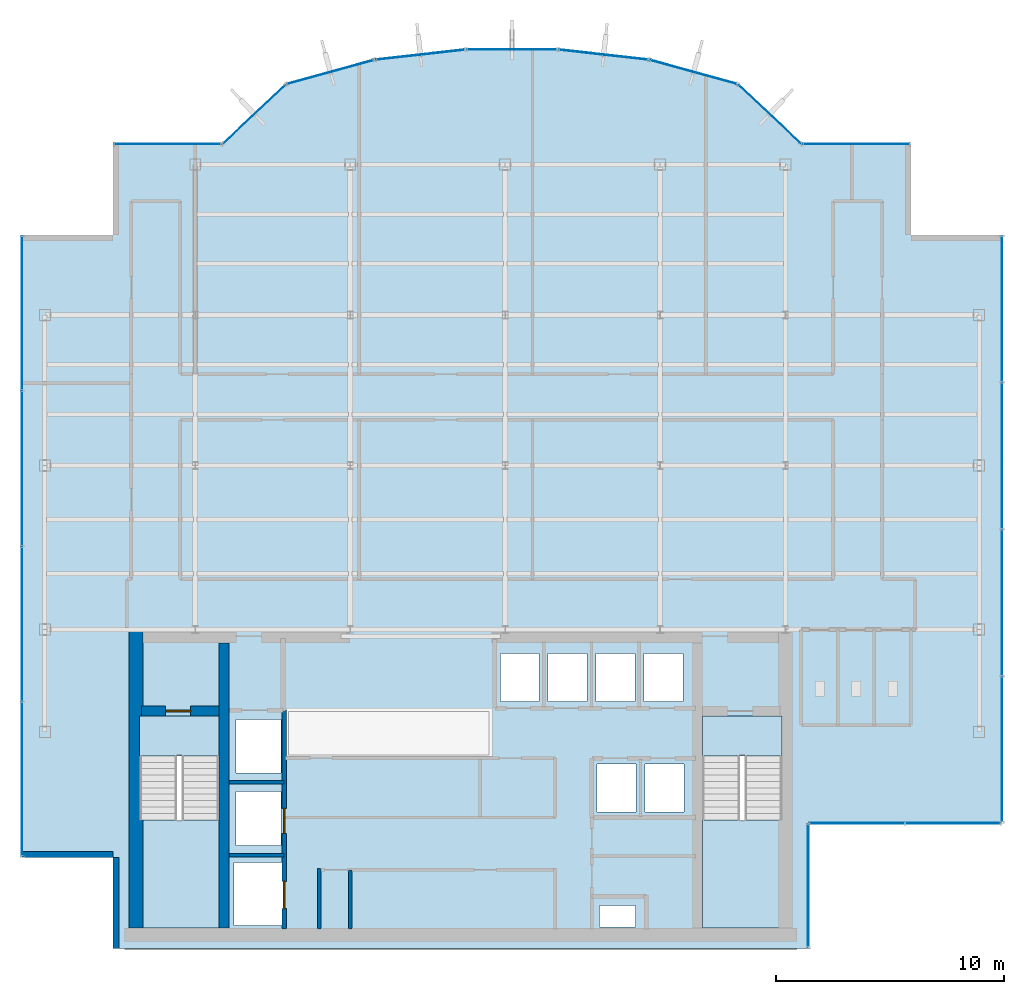
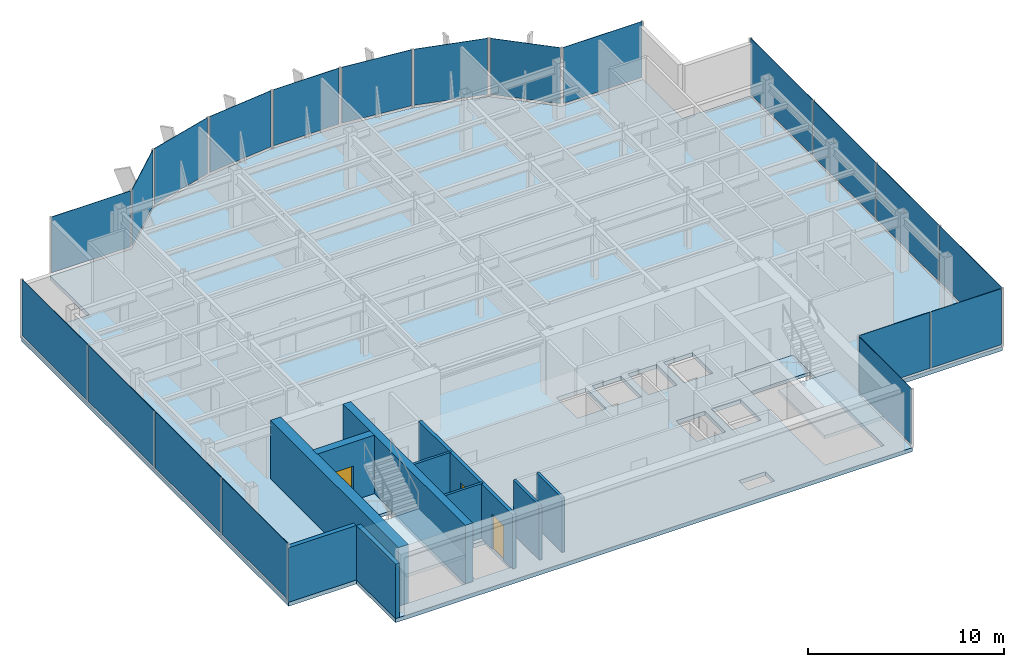
# One storey, part 16 of 22: 20 plates, 10 walls, 5 slabs, 3 doors, 3 openings, 15 elements without a shape of their own.
"""IFC4 building model written with IfcOpenShell, lengths in metres."""

from ifc_helpers import new_model, si_unit, derived_unit, direction, frame, frame_2d, origin, origin_2d, place, context, subcontext, project, spatial, polyline, rectangle, outline, extrude, source, transform, mapped, material, layer, layer_set, type_object, element, fill, aggregate, save


model = new_model("IFC4")

# Units and contexts
model_context = context("Model", 3, precision=1e-05, world=origin(), true_north=direction((0.0, 1.0)))
body_context = subcontext(model_context, "Body", "Model", "MODEL_VIEW")
ifc_project = project(units=[si_unit("LENGTHUNIT", "METRE"), si_unit("AREAUNIT", "SQUARE_METRE"), si_unit("VOLUMEUNIT", "CUBIC_METRE"), si_unit("PLANEANGLEUNIT", "RADIAN"), si_unit("MASSUNIT", "GRAM", prefix="KILO"), derived_unit("THERMALTRANSMITTANCEUNIT", [(si_unit("POWERUNIT", "WATT"), 1), (si_unit("LENGTHUNIT", "METRE"), -2), (si_unit("THERMODYNAMICTEMPERATUREUNIT", "KELVIN"), -1)])], contexts=[model_context])

# Site, building, storey
site_placement = place(None, origin())
site = spatial("IfcSite", under=ifc_project, at=site_placement, CompositionType="ELEMENT")
building_placement = place(site_placement, origin())
building = spatial("IfcBuilding", under=site, at=building_placement, Name="Skarnbrae Concourse Arena and Tower", CompositionType="ELEMENT")
storey_placement = place(building_placement, frame((0.0, 0.0, 273.39990234375)))
storey = spatial("IfcBuildingStorey", under=building, at=storey_placement, Name="L71", CompositionType="ELEMENT", Elevation=273.39990234375)

# Stair, slab
ifc_material_1 = material(Name="Concrete 40 MPa (C40/50)", Category="concrete")
stair_type = type_object("IfcStairType", Name="STAIR-DOGLEG-1650", PredefinedType="HALF_TURN_STAIR", material=ifc_material_1)
stair_1_placement = place(storey_placement, origin())
stair_1 = element("IfcStair", 1, at=stair_1_placement, inside=storey, type_object=stair_type, Name="L71 Protected Exit Stair ST-1", PredefinedType="HALF_TURN_STAIR")
ifc_layer_1 = layer(ifc_material_1, 0.199951171875)
ifc_layer_set_1 = layer_set([ifc_layer_1], Name="Concrete 40 MPa (C40/50)")
slab_type_1 = type_object("IfcSlabType", Name="SLAB-LANDING-200", PredefinedType="LANDING", material=ifc_layer_set_1)
slab_1_placement = place(storey_placement, frame((0.0, 0.0, 1.625)))
slab_1 = element("IfcSlab", 2, at=slab_1_placement, type_object=slab_type_1, Name="ST-1 landing 1", PredefinedType="LANDING", context=body_context, shape_type="SweptSolid", body=[
    extrude(outline(polyline([(5.14990234375, 5.64990234375), (5.14990234375, 0.89990234375), (8.64990234375, 0.89990234375), (8.64990234375, 5.64990234375), (5.14990234375, 5.64990234375)])), origin(), (0.0, 0.0, 1.0), 0.2001953125),
])
aggregate(stair_1, [slab_1])

stair_2_placement = place(storey_placement, origin())
stair_2 = element("IfcStair", 3, at=stair_2_placement, inside=storey, type_object=stair_type, Name="L71 Protected Exit Stair ST-2", PredefinedType="HALF_TURN_STAIR")
slab_2_placement = place(storey_placement, frame((0.0, 0.0, 1.625)))
slab_2 = element("IfcSlab", 4, at=slab_2_placement, type_object=slab_type_1, Name="ST-2 landing 1", PredefinedType="LANDING", context=body_context, shape_type="SweptSolid", body=[
    extrude(outline(polyline([(29.85009765625, 5.64990234375), (29.85009765625, 0.89990234375), (33.35009765625, 0.89990234375), (33.35009765625, 5.64990234375), (29.85009765625, 5.64990234375)])), origin(), (0.0, 0.0, 1.0), 0.2001953125),
])
aggregate(stair_2, [slab_2])

# Slabs
slab_3_placement = place(storey_placement, frame((0.0, 0.0, -0.199951171875)))
element("IfcSlab", 5, at=slab_3_placement, inside=storey, type_object=slab_type_1, Name="L71 Core stair ST1 floor landing", PredefinedType="LANDING", context=body_context, shape_type="SweptSolid", body=[
    extrude(outline(polyline([(5.14990234375, 10.199951171875), (5.14990234375, 8.449951171875), (8.64990234375, 8.449951171875), (8.64990234375, 10.199951171875), (5.14990234375, 10.199951171875)])), origin(), (0.0, 0.0, 1.0), 0.199951171875),
])
slab_4_placement = place(storey_placement, frame((0.0, 0.0, -0.199951171875)))
element("IfcSlab", 6, at=slab_4_placement, inside=storey, type_object=slab_type_1, Name="L71 Core stair ST2 floor landing", PredefinedType="LANDING", context=body_context, shape_type="SweptSolid", body=[
    extrude(outline(polyline([(29.85009765625, 10.199951171875), (29.85009765625, 8.449951171875), (33.35009765625, 8.449951171875), (33.35009765625, 10.199951171875), (29.85009765625, 10.199951171875)])), origin(), (0.0, 0.0, 1.0), 0.199951171875),
])
ifc_layer_2 = layer(ifc_material_1, 0.25)
ifc_layer_set_2 = layer_set([ifc_layer_2], Name="Concrete 40 MPa (C40/50)")
slab_type_2 = type_object("IfcSlabType", Name="SLAB-TOWER-250", PredefinedType="FLOOR", material=ifc_layer_set_2)
slab_5_placement = place(storey_placement, frame((0.0, 0.0, -0.25)))
element("IfcSlab", 7, at=slab_5_placement, inside=storey, type_object=slab_type_2, Name="L71 Structural floor slab", PredefinedType="FLOOR", context=body_context, shape_type="SweptSolid", body=[
    extrude(outline(polyline([(4.0, 0.0), (34.5, 0.0), (34.5, 5.5), (43.0, 5.5), (43.0, 31.300048828125), (39.0, 31.300048828125), (39.0, 35.300048828125), (34.199951171875, 35.300048828125), (31.40966796875, 37.9267578125), (27.52587890625, 38.9970703125), (23.51708984375, 39.44677734375), (19.48291015625, 39.44677734375), (15.47412109375, 38.9970703125), (11.59033203125, 37.9267578125), (8.800048828125, 35.300048828125), (4.0, 35.300048828125), (4.0, 31.300048828125), (0.0, 31.300048828125), (0.0, 4.0), (4.0, 4.0), (4.0, 0.0)]), holes=[polyline([(9.294921875, 1.02001953125), (9.294921875, 3.780029296875), (11.455078125, 3.780029296875), (11.455078125, 1.02001953125), (9.294921875, 1.02001953125)]), polyline([(8.64990234375, 10.199951171875), (8.64990234375, 0.89990234375), (5.14990234375, 0.89990234375), (5.14990234375, 10.199951171875), (8.64990234375, 10.199951171875)]), polyline([(9.39501953125, 6.8798828125), (11.35498046875, 6.8798828125), (11.35498046875, 4.52001953125), (9.39501953125, 4.52001953125), (9.39501953125, 6.8798828125)]), polyline([(9.39501953125, 7.695068359375), (9.39501953125, 10.054931640625), (11.35498046875, 10.054931640625), (11.35498046875, 7.695068359375), (9.39501953125, 7.695068359375)]), polyline([(20.985107421875, 12.955078125), (22.695068359375, 12.955078125), (22.695068359375, 10.844970703125), (20.985107421875, 10.844970703125), (20.985107421875, 12.955078125)]), polyline([(23.0849609375, 12.955078125), (24.794921875, 12.955078125), (24.794921875, 10.844970703125), (23.0849609375, 10.844970703125), (23.0849609375, 12.955078125)]), polyline([(25.35009765625, 0.949951171875), (25.35009765625, 1.889892578125), (26.919921875, 1.889892578125), (26.919921875, 0.949951171875), (25.35009765625, 0.949951171875)]), polyline([(33.35009765625, 10.199951171875), (33.35009765625, 0.89990234375), (29.85009765625, 0.89990234375), (29.85009765625, 10.199951171875), (33.35009765625, 10.199951171875)]), polyline([(25.235107421875, 8.10498046875), (26.945068359375, 8.10498046875), (26.945068359375, 5.9951171875), (25.235107421875, 5.9951171875), (25.235107421875, 8.10498046875)]), polyline([(27.3349609375, 5.9951171875), (27.3349609375, 8.10498046875), (29.044921875, 8.10498046875), (29.044921875, 5.9951171875), (27.3349609375, 5.9951171875)]), polyline([(25.18505859375, 12.955078125), (26.89501953125, 12.955078125), (26.89501953125, 10.844970703125), (25.18505859375, 10.844970703125), (25.18505859375, 12.955078125)]), polyline([(27.284912109375, 12.955078125), (28.9951171875, 12.955078125), (28.9951171875, 10.844970703125), (27.284912109375, 10.844970703125), (27.284912109375, 12.955078125)])]), origin(), (0.0, 0.0, 1.0), 0.25),
])

# Curtain wall, plate
ifc_material_2 = material(Name="Bronze anodised aluminium 6063-T6", Category="aluminium")
curtain_wall_type = type_object("IfcCurtainWallType", Name="CW-SYS-05-HIGHZONE", PredefinedType="USERDEFINED", material=ifc_material_2)
curtain_wall_1_placement = place(storey_placement, origin())
curtain_wall_1 = element("IfcCurtainWall", 8, at=curtain_wall_1_placement, inside=storey, type_object=curtain_wall_type, Name="L71 Unitised curtain wall CW-L71-E02", ObjectType="UNITISED CURTAIN WALL", PredefinedType="USERDEFINED")
ifc_material_3 = material(Name="Low-E triple insulating glass", Category="glass")
ifc_layer_3 = layer(ifc_material_3, 0.030029296875)
ifc_layer_set_3 = layer_set([ifc_layer_3], Name="Low-E triple insulating glass")
plate_type = type_object("IfcPlateType", Name="CWP-CW-05", PredefinedType="CURTAIN_PANEL", material=ifc_layer_set_3)
shared_shape_1 = source(origin(), body_context, "Body", "SweptSolid", [
    extrude(rectangle(XDim=5.35009765625, YDim=0.030029296875, at=origin_2d()), origin(), (0.0, 0.0, 1.0), 3.5),
])
plate_1_placement = place(storey_placement, frame((34.5, 2.75, 0.150146484375), z_axis=(0.0, 0.0, 1.0), x_axis=(0.0, 1.0, 0.0)))
plate_1 = element("IfcPlate", 9, at=plate_1_placement, type_object=plate_type, Name="CW-L71-E02 Low-E Glazing Panel 1", PredefinedType="CURTAIN_PANEL", context=body_context, shape_type="MappedRepresentation", body=[
    mapped(shared_shape_1, transform((0.0, 0.0, 0.0))),
])
aggregate(curtain_wall_1, [plate_1])

# Curtain wall, plates
curtain_wall_2_placement = place(storey_placement, origin())
curtain_wall_2 = element("IfcCurtainWall", 10, at=curtain_wall_2_placement, inside=storey, type_object=curtain_wall_type, Name="L71 Unitised curtain wall CW-L71-E03", ObjectType="UNITISED CURTAIN WALL", PredefinedType="USERDEFINED")
shared_shape_2 = source(origin(), body_context, "Body", "SweptSolid", [
    extrude(rectangle(XDim=4.137451171875, YDim=0.030029296875, at=origin_2d()), origin(), (0.0, 0.0, 1.0), 3.5),
])
plate_2_placement = place(storey_placement, frame((36.643798828125, 5.5, 0.150146484375), z_axis=(0.0, 0.0, 1.0), x_axis=(1.0, 0.0, 0.0)))
plate_2 = element("IfcPlate", 11, at=plate_2_placement, type_object=plate_type, Name="CW-L71-E03 Low-E Glazing Panel 1", PredefinedType="CURTAIN_PANEL", context=body_context, shape_type="MappedRepresentation", body=[
    mapped(shared_shape_2, transform((0.0, 0.0, 0.0))),
])
plate_3_placement = place(storey_placement, frame((40.856201171875, 5.5, 0.150146484375), z_axis=(0.0, 0.0, 1.0), x_axis=(1.0, 0.0, 0.0)))
plate_3 = element("IfcPlate", 12, at=plate_3_placement, type_object=plate_type, Name="CW-L71-E03 Low-E Glazing Panel 2", PredefinedType="CURTAIN_PANEL", context=body_context, shape_type="MappedRepresentation", body=[
    mapped(shared_shape_2, transform((0.0, 0.0, 0.0))),
])
aggregate(curtain_wall_2, [plate_2, plate_3])

# Curtain wall, plate
curtain_wall_3_placement = place(storey_placement, origin())
curtain_wall_3 = element("IfcCurtainWall", 13, at=curtain_wall_3_placement, inside=storey, type_object=curtain_wall_type, Name="L71 Unitised curtain wall CW-L71-E07", ObjectType="UNITISED CURTAIN WALL", PredefinedType="USERDEFINED")
shared_shape_3 = source(origin(), body_context, "Body", "SweptSolid", [
    extrude(rectangle(XDim=4.64990234375, YDim=0.030029296875, at=origin_2d()), origin(), (0.0, 0.0, 1.0), 3.5),
])
plate_4_placement = place(storey_placement, frame((36.60009765625, 35.300048828125, 0.150146484375), z_axis=(0.0, 0.0, 1.0), x_axis=(-1.0, 0.0, 0.0)))
plate_4 = element("IfcPlate", 14, at=plate_4_placement, type_object=plate_type, Name="CW-L71-E07 Low-E Glazing Panel 1", PredefinedType="CURTAIN_PANEL", context=body_context, shape_type="MappedRepresentation", body=[
    mapped(shared_shape_3, transform((0.0, 0.0, 0.0))),
])
aggregate(curtain_wall_3, [plate_4])

curtain_wall_4_placement = place(storey_placement, origin())
curtain_wall_4 = element("IfcCurtainWall", 15, at=curtain_wall_4_placement, inside=storey, type_object=curtain_wall_type, Name="L71 Unitised curtain wall CW-L71-E15", ObjectType="UNITISED CURTAIN WALL", PredefinedType="USERDEFINED")
plate_5_placement = place(storey_placement, frame((6.39990234375, 35.300048828125, 0.150146484375), z_axis=(0.0, 0.0, 1.0), x_axis=(-1.0, 0.0, 0.0)))
plate_5 = element("IfcPlate", 16, at=plate_5_placement, type_object=plate_type, Name="CW-L71-E15 Low-E Glazing Panel 1", PredefinedType="CURTAIN_PANEL", context=body_context, shape_type="MappedRepresentation", body=[
    mapped(shared_shape_3, transform((0.0, 0.0, 0.0))),
])
aggregate(curtain_wall_4, [plate_5])

curtain_wall_5_placement = place(storey_placement, origin())
curtain_wall_5 = element("IfcCurtainWall", 17, at=curtain_wall_5_placement, inside=storey, type_object=curtain_wall_type, Name="L71 Unitised curtain wall CW-L71-E08", ObjectType="UNITISED CURTAIN WALL", PredefinedType="USERDEFINED")
shared_shape_4 = source(origin(), body_context, "Body", "SweptSolid", [
    extrude(rectangle(XDim=3.68212890625, YDim=0.030029296875, at=origin_2d()), origin(), (0.0, 0.0, 1.0), 3.5),
])
plate_6_placement = place(storey_placement, frame((32.804931640625, 36.61328125, 0.150146484375), z_axis=(0.0, 0.0, 1.0), x_axis=(-0.728130555214, 0.685438468838, 0.0)))
plate_6 = element("IfcPlate", 18, at=plate_6_placement, type_object=plate_type, Name="CW-L71-E08 Low-E Glazing Panel 1", PredefinedType="CURTAIN_PANEL", context=body_context, shape_type="MappedRepresentation", body=[
    mapped(shared_shape_4, transform((0.0, 0.0, 0.0))),
])
aggregate(curtain_wall_5, [plate_6])

curtain_wall_6_placement = place(storey_placement, origin())
curtain_wall_6 = element("IfcCurtainWall", 19, at=curtain_wall_6_placement, inside=storey, type_object=curtain_wall_type, Name="L71 Unitised curtain wall CW-L71-E14", ObjectType="UNITISED CURTAIN WALL", PredefinedType="USERDEFINED")
plate_7_placement = place(storey_placement, frame((10.195068359375, 36.61328125, 0.150146484375), z_axis=(0.0, 0.0, 1.0), x_axis=(-0.728130555214, -0.685438468838, 0.0)))
plate_7 = element("IfcPlate", 20, at=plate_7_placement, type_object=plate_type, Name="CW-L71-E14 Low-E Glazing Panel 1", PredefinedType="CURTAIN_PANEL", context=body_context, shape_type="MappedRepresentation", body=[
    mapped(shared_shape_4, transform((0.0, 0.0, 0.0))),
])
aggregate(curtain_wall_6, [plate_7])

curtain_wall_7_placement = place(storey_placement, origin())
curtain_wall_7 = element("IfcCurtainWall", 21, at=curtain_wall_7_placement, inside=storey, type_object=curtain_wall_type, Name="L71 Unitised curtain wall CW-L71-E09", ObjectType="UNITISED CURTAIN WALL", PredefinedType="USERDEFINED")
shared_shape_5 = source(origin(), body_context, "Body", "SweptSolid", [
    extrude(rectangle(XDim=3.878662109375, YDim=0.030029296875, at=origin_2d()), origin(), (0.0, 0.0, 1.0), 3.5),
])
plate_8_placement = place(storey_placement, frame((29.4677734375, 38.4619140625, 0.150146484375), z_axis=(0.0, 0.0, 1.0), x_axis=(-0.964057388766, 0.265694093207, 0.0)))
plate_8 = element("IfcPlate", 22, at=plate_8_placement, type_object=plate_type, Name="CW-L71-E09 Low-E Glazing Panel 1", PredefinedType="CURTAIN_PANEL", context=body_context, shape_type="MappedRepresentation", body=[
    mapped(shared_shape_5, transform((0.0, 0.0, 0.0))),
])
aggregate(curtain_wall_7, [plate_8])

curtain_wall_8_placement = place(storey_placement, origin())
curtain_wall_8 = element("IfcCurtainWall", 23, at=curtain_wall_8_placement, inside=storey, type_object=curtain_wall_type, Name="L71 Unitised curtain wall CW-L71-E13", ObjectType="UNITISED CURTAIN WALL", PredefinedType="USERDEFINED")
plate_9_placement = place(storey_placement, frame((13.5322265625, 38.4619140625, 0.150146484375), z_axis=(0.0, 0.0, 1.0), x_axis=(-0.964057388766, -0.265694093207, 0.0)))
plate_9 = element("IfcPlate", 24, at=plate_9_placement, type_object=plate_type, Name="CW-L71-E13 Low-E Glazing Panel 1", PredefinedType="CURTAIN_PANEL", context=body_context, shape_type="MappedRepresentation", body=[
    mapped(shared_shape_5, transform((0.0, 0.0, 0.0))),
])
aggregate(curtain_wall_8, [plate_9])

curtain_wall_9_placement = place(storey_placement, origin())
curtain_wall_9 = element("IfcCurtainWall", 25, at=curtain_wall_9_placement, inside=storey, type_object=curtain_wall_type, Name="L71 Unitised curtain wall CW-L71-E10", ObjectType="UNITISED CURTAIN WALL", PredefinedType="USERDEFINED")
shared_shape_6 = source(origin(), body_context, "Body", "SweptSolid", [
    extrude(rectangle(XDim=3.8837890625, YDim=0.030029296875, at=origin_2d()), origin(), (0.0, 0.0, 1.0), 3.5),
])
plate_10_placement = place(storey_placement, frame((25.521484375, 39.221923828125, 0.150146484375), z_axis=(0.0, 0.0, 1.0), x_axis=(-0.993768891873, 0.111460259941, 0.0)))
plate_10 = element("IfcPlate", 26, at=plate_10_placement, type_object=plate_type, Name="CW-L71-E10 Low-E Glazing Panel 1", PredefinedType="CURTAIN_PANEL", context=body_context, shape_type="MappedRepresentation", body=[
    mapped(shared_shape_6, transform((0.0, 0.0, 0.0))),
])
aggregate(curtain_wall_9, [plate_10])

curtain_wall_10_placement = place(storey_placement, origin())
curtain_wall_10 = element("IfcCurtainWall", 27, at=curtain_wall_10_placement, inside=storey, type_object=curtain_wall_type, Name="L71 Unitised curtain wall CW-L71-E12", ObjectType="UNITISED CURTAIN WALL", PredefinedType="USERDEFINED")
plate_11_placement = place(storey_placement, frame((17.478515625, 39.221923828125, 0.150146484375), z_axis=(0.0, 0.0, 1.0), x_axis=(-0.993768891873, -0.111460259941, 0.0)))
plate_11 = element("IfcPlate", 28, at=plate_11_placement, type_object=plate_type, Name="CW-L71-E12 Low-E Glazing Panel 1", PredefinedType="CURTAIN_PANEL", context=body_context, shape_type="MappedRepresentation", body=[
    mapped(shared_shape_6, transform((0.0, 0.0, 0.0))),
])
aggregate(curtain_wall_10, [plate_11])

curtain_wall_11_placement = place(storey_placement, origin())
curtain_wall_11 = element("IfcCurtainWall", 29, at=curtain_wall_11_placement, inside=storey, type_object=curtain_wall_type, Name="L71 Unitised curtain wall CW-L71-E11", ObjectType="UNITISED CURTAIN WALL", PredefinedType="USERDEFINED")
shared_shape_7 = source(origin(), body_context, "Body", "SweptSolid", [
    extrude(rectangle(XDim=3.884521484375, YDim=0.030029296875, at=origin_2d()), origin(), (0.0, 0.0, 1.0), 3.5),
])
plate_12_placement = place(storey_placement, frame((21.5, 39.44677734375, 0.150146484375), z_axis=(0.0, 0.0, 1.0), x_axis=(-1.0, 0.0, 0.0)))
plate_12 = element("IfcPlate", 30, at=plate_12_placement, type_object=plate_type, Name="CW-L71-E11 Low-E Glazing Panel 1", PredefinedType="CURTAIN_PANEL", context=body_context, shape_type="MappedRepresentation", body=[
    mapped(shared_shape_7, transform((0.0, 0.0, 0.0))),
])
aggregate(curtain_wall_11, [plate_12])

# Curtain wall, plates
curtain_wall_12_placement = place(storey_placement, origin())
curtain_wall_12 = element("IfcCurtainWall", 31, at=curtain_wall_12_placement, inside=storey, type_object=curtain_wall_type, Name="L71 Unitised curtain wall CW-L71-E18", ObjectType="UNITISED CURTAIN WALL", PredefinedType="USERDEFINED")
shared_shape_8 = source(origin(), body_context, "Body", "SweptSolid", [
    extrude(rectangle(XDim=6.71240234375, YDim=0.030029296875, at=origin_2d()), origin(), (0.0, 0.0, 1.0), 3.5),
])
plate_13_placement = place(storey_placement, frame((0.0, 27.86865234375, 0.150146484375), z_axis=(0.0, 0.0, 1.0), x_axis=(0.0, -1.0, 0.0)))
plate_13 = element("IfcPlate", 32, at=plate_13_placement, type_object=plate_type, Name="CW-L71-E18 Low-E Glazing Panel 1", PredefinedType="CURTAIN_PANEL", context=body_context, shape_type="MappedRepresentation", body=[
    mapped(shared_shape_8, transform((0.0, 0.0, 0.0))),
])
plate_14_placement = place(storey_placement, frame((0.0, 7.431396484375, 0.150146484375), z_axis=(0.0, 0.0, 1.0), x_axis=(0.0, -1.0, 0.0)))
plate_14 = element("IfcPlate", 33, at=plate_14_placement, type_object=plate_type, Name="CW-L71-E18 Low-E Glazing Panel 4", PredefinedType="CURTAIN_PANEL", context=body_context, shape_type="MappedRepresentation", body=[
    mapped(shared_shape_8, transform((0.0, 0.0, 0.0))),
])
shared_shape_9 = source(origin(), body_context, "Body", "SweptSolid", [
    extrude(rectangle(XDim=6.75, YDim=0.030029296875, at=origin_2d()), origin(), (0.0, 0.0, 1.0), 3.5),
])
plate_15_placement = place(storey_placement, frame((0.0, 21.0625, 0.150146484375), z_axis=(0.0, 0.0, 1.0), x_axis=(0.0, -1.0, 0.0)))
plate_15 = element("IfcPlate", 34, at=plate_15_placement, type_object=plate_type, Name="CW-L71-E18 Low-E Glazing Panel 2", PredefinedType="CURTAIN_PANEL", context=body_context, shape_type="MappedRepresentation", body=[
    mapped(shared_shape_9, transform((0.0, 0.0, 0.0))),
])
plate_16_placement = place(storey_placement, frame((0.0, 14.237548828125, 0.150146484375), z_axis=(0.0, 0.0, 1.0), x_axis=(0.0, -1.0, 0.0)))
plate_16 = element("IfcPlate", 35, at=plate_16_placement, type_object=plate_type, Name="CW-L71-E18 Low-E Glazing Panel 3", PredefinedType="CURTAIN_PANEL", context=body_context, shape_type="MappedRepresentation", body=[
    mapped(shared_shape_9, transform((0.0, 0.0, 0.0))),
])
aggregate(curtain_wall_12, [plate_13, plate_15, plate_16, plate_14])

curtain_wall_13_placement = place(storey_placement, origin())
curtain_wall_13 = element("IfcCurtainWall", 36, at=curtain_wall_13_placement, inside=storey, type_object=curtain_wall_type, Name="L71 Unitised curtain wall CW-L71-E04", ObjectType="UNITISED CURTAIN WALL", PredefinedType="USERDEFINED")
shared_shape_10 = source(origin(), body_context, "Body", "SweptSolid", [
    extrude(rectangle(XDim=6.33740234375, YDim=0.030029296875, at=origin_2d()), origin(), (0.0, 0.0, 1.0), 3.5),
])
plate_17_placement = place(storey_placement, frame((43.0, 8.743896484375, 0.150146484375), z_axis=(0.0, 0.0, 1.0), x_axis=(0.0, 1.0, 0.0)))
plate_17 = element("IfcPlate", 37, at=plate_17_placement, type_object=plate_type, Name="CW-L71-E04 Low-E Glazing Panel 1", PredefinedType="CURTAIN_PANEL", context=body_context, shape_type="MappedRepresentation", body=[
    mapped(shared_shape_10, transform((0.0, 0.0, 0.0))),
])
plate_18_placement = place(storey_placement, frame((43.0, 28.05615234375, 0.150146484375), z_axis=(0.0, 0.0, 1.0), x_axis=(0.0, 1.0, 0.0)))
plate_18 = element("IfcPlate", 38, at=plate_18_placement, type_object=plate_type, Name="CW-L71-E04 Low-E Glazing Panel 4", PredefinedType="CURTAIN_PANEL", context=body_context, shape_type="MappedRepresentation", body=[
    mapped(shared_shape_10, transform((0.0, 0.0, 0.0))),
])
shared_shape_11 = source(origin(), body_context, "Body", "SweptSolid", [
    extrude(rectangle(XDim=6.375, YDim=0.030029296875, at=origin_2d()), origin(), (0.0, 0.0, 1.0), 3.5),
])
plate_19_placement = place(storey_placement, frame((43.0, 15.175048828125, 0.150146484375), z_axis=(0.0, 0.0, 1.0), x_axis=(0.0, 1.0, 0.0)))
plate_19 = element("IfcPlate", 39, at=plate_19_placement, type_object=plate_type, Name="CW-L71-E04 Low-E Glazing Panel 2", PredefinedType="CURTAIN_PANEL", context=body_context, shape_type="MappedRepresentation", body=[
    mapped(shared_shape_11, transform((0.0, 0.0, 0.0))),
])
plate_20_placement = place(storey_placement, frame((43.0, 21.625, 0.150146484375), z_axis=(0.0, 0.0, 1.0), x_axis=(0.0, 1.0, 0.0)))
plate_20 = element("IfcPlate", 40, at=plate_20_placement, type_object=plate_type, Name="CW-L71-E04 Low-E Glazing Panel 3", PredefinedType="CURTAIN_PANEL", context=body_context, shape_type="MappedRepresentation", body=[
    mapped(shared_shape_11, transform((0.0, 0.0, 0.0))),
])
aggregate(curtain_wall_13, [plate_17, plate_19, plate_20, plate_18])

# Wall, opening, door
ifc_material_4 = material(Name="Concrete 50 MPa (C50/60)", Category="concrete")
ifc_layer_4 = layer(ifc_material_4, 0.449951171875)
ifc_layer_set_4 = layer_set([ifc_layer_4], Name="Concrete 50 MPa (C50/60)")
wall_type_1 = type_object("IfcWallType", Name="WALL-CORE-450-C50", PredefinedType="SHEAR", material=ifc_layer_set_4)
shared_shape_12 = source(origin(), body_context, "Body", "SweptSolid", [
    extrude(rectangle(XDim=3.389892578125, YDim=0.449951171875, at=frame_2d((1.69482421875, 0.0))), origin(), (0.0, 0.0, 1.0), 3.650146484375),
])
wall_1_placement = place(storey_placement, frame((5.25, 10.419921875, 0.0), z_axis=(0.0, 0.0, 1.0), x_axis=(1.0, 0.0, 0.0)))
wall_1 = element("IfcWall", 41, at=wall_1_placement, inside=storey, type_object=wall_type_1, Name="L71 Rear core shear wall CW-ST1-N", PredefinedType="SHEAR", context=body_context, shape_type="MappedRepresentation", body=[
    mapped(shared_shape_12, transform((0.0, 0.0, 0.0))),
])
opening_1_placement = place(wall_1_placement, frame((1.050048828125, 0.0, 0.0)))
opening_1 = element("IfcOpeningElement", 42, at=opening_1_placement, cuts=wall_1, Name="Opening DT-03", PredefinedType="OPENING", context=body_context, shape_type="SweptSolid", body=[
    extrude(rectangle(XDim=1.10009765625, YDim=2.14990234375, at=frame_2d((0.550048828125, 1.074951171875))), frame((0.0, 0.23486328125, 0.0), z_axis=(0.0, -1.0, 0.0), x_axis=(1.0, 0.0, 0.0)), (0.0, 0.0, 1.0), 0.469970703125),
])
ifc_material_5 = material(Name="Steel CSA G40.21 350W", Category="steel")
door_type_1 = type_object("IfcDoorType", Name="DOOR-FIRE-1100-90M", OperationType="NOTDEFINED", PredefinedType="DOOR", material=ifc_material_5)
shared_shape_13 = source(origin(), body_context, "Body", "SweptSolid", [
    extrude(rectangle(XDim=1.10009765625, YDim=2.14990234375, at=frame_2d((0.550048828125, 1.074951171875))), frame((0.0, 0.02490234375, 0.0), z_axis=(0.0, -1.0, 0.0), x_axis=(1.0, 0.0, 0.0)), (0.0, 0.0, 1.0), 0.050048828125),
])
door_1_placement = place(opening_1_placement, frame((1.10009765625, 0.0, 0.0), z_axis=(0.0, 0.0, 1.0), x_axis=(-1.0, 0.0, 0.0)))
door_1 = element("IfcDoor", 43, at=door_1_placement, inside=storey, type_object=door_type_1, Name="D-2138 Stair ST-1 Door", OperationType="SINGLE_SWING_LEFT", OverallHeight=2.14990234375, OverallWidth=1.10009765625, PredefinedType="DOOR", context=body_context, shape_type="MappedRepresentation", body=[
    mapped(shared_shape_13, transform((0.0, 0.0, 0.0))),
])
fill(opening_1, door_1)

# Walls
ifc_layer_5 = layer(ifc_material_4, 0.60009765625)
ifc_layer_set_5 = layer_set([ifc_layer_5], Name="Concrete 50 MPa (C50/60)")
wall_type_2 = type_object("IfcWallType", Name="WALL-CORE-600-C50", PredefinedType="SHEAR", material=ifc_layer_set_5)
shared_shape_14 = source(origin(), body_context, "Body", "SweptSolid", [
    extrude(rectangle(XDim=13.10009765625, YDim=0.60009765625, at=frame_2d((6.550048828125, 0.0))), origin(), (0.0, 0.0, 1.0), 3.650146484375),
])
wall_2_placement = place(storey_placement, frame((5.0, 0.89990234375, 0.0), z_axis=(0.0, 0.0, 1.0), x_axis=(0.0, 1.0, 0.0)))
element("IfcWall", 44, at=wall_2_placement, inside=storey, type_object=wall_type_2, Name="L71 Rear core shear wall CW-W", PredefinedType="SHEAR", context=body_context, shape_type="MappedRepresentation", body=[
    mapped(shared_shape_14, transform((0.0, 0.0, 0.0))),
])
shared_shape_15 = source(origin(), body_context, "Body", "SweptSolid", [
    extrude(rectangle(XDim=12.5, YDim=0.449951171875, at=frame_2d((6.25, 0.0))), origin(), (0.0, 0.0, 1.0), 3.650146484375),
])
wall_3_placement = place(storey_placement, frame((8.864990234375, 0.89990234375, 0.0), z_axis=(0.0, 0.0, 1.0), x_axis=(0.0, 1.0, 0.0)))
element("IfcWall", 45, at=wall_3_placement, inside=storey, type_object=wall_type_1, Name="L71 Rear core shear wall CW-WEB-W", PredefinedType="SHEAR", context=body_context, shape_type="MappedRepresentation", body=[
    mapped(shared_shape_15, transform((0.0, 0.0, 0.0))),
])
ifc_material_6 = material(Name="Precast concrete 40 MPa (C40/50)", Category="concrete")
ifc_layer_6 = layer(ifc_material_6, 0.25)
ifc_layer_set_6 = layer_set([ifc_layer_6], Name="Precast concrete 40 MPa (C40/50)")
wall_type_3 = type_object("IfcWallType", Name="WALL-EXT-SPANDREL-250", PredefinedType="STANDARD", material=ifc_layer_set_6)
shared_shape_16 = source(origin(), body_context, "Body", "SweptSolid", [
    extrude(rectangle(XDim=4.0, YDim=0.25, at=frame_2d((2.0, 0.0))), origin(), (0.0, 0.0, 1.0), 3.400146484375),
])
for number, where, z_axis, x_axis, name in (
    (46, (0.0, 4.125, 0.0), (0.0, 0.0, 1.0), (1.0, 0.0, 0.0), "L71 Notched corner insulated return wall 19"),
    (47, (4.125, 4.0, 0.0), (0.0, 0.0, 1.0), (0.0, -1.0, 0.0), "L71 Notched corner insulated return wall 20"),
):
    element("IfcWall", number, at=place(storey_placement, frame(where, z_axis=z_axis, x_axis=x_axis)), inside=storey, type_object=wall_type_3, Name=name, PredefinedType="STANDARD", context=body_context, shape_type="MappedRepresentation", body=[
        mapped(shared_shape_16, transform((0.0, 0.0, 0.0))),
    ])

# Wall, openings, doors
ifc_material_7 = material(Name="Gypsum board on cold-formed steel studs", Category="steel")
ifc_layer_7 = layer(ifc_material_7, 0.199951171875)
ifc_layer_set_7 = layer_set([ifc_layer_7], Name="Gypsum board on cold-formed steel studs")
wall_type_4 = type_object("IfcWallType", Name="WALL-PART-200-2HR", PredefinedType="PARTITIONING", material=ifc_layer_set_7)
shared_shape_17 = source(origin(), body_context, "Body", "SweptSolid", [
    extrude(rectangle(XDim=9.599853515625, YDim=0.199951171875, at=frame_2d((4.7998046875, 0.0))), origin(), (0.0, 0.0, 1.0), 3.400146484375),
])
wall_4_placement = place(storey_placement, frame((11.5, 0.85009765625, 0.0), z_axis=(0.0, 0.0, 1.0), x_axis=(0.0, 1.0, 0.0)))
wall_4 = element("IfcWall", 48, at=wall_4_placement, inside=storey, type_object=wall_type_4, Name="L71 Interior partition wall W-L71-FL-E", PredefinedType="PARTITIONING", context=body_context, shape_type="MappedRepresentation", body=[
    mapped(shared_shape_17, transform((0.0, 0.0, 0.0))),
])
opening_2_placement = place(wall_4_placement, frame((4.199951171875, 0.0, 0.0)))
opening_2 = element("IfcOpeningElement", 49, at=opening_2_placement, cuts=wall_4, Name="Opening LD-01", PredefinedType="OPENING", context=body_context, shape_type="SweptSolid", body=[
    extrude(rectangle(XDim=1.10009765625, YDim=2.14990234375, at=frame_2d((0.550048828125, 1.074951171875))), frame((0.0, 0.10986328125, 0.0), z_axis=(0.0, -1.0, 0.0), x_axis=(1.0, 0.0, 0.0)), (0.0, 0.0, 1.0), 0.219970703125),
])
opening_3_placement = place(wall_4_placement, frame((0.89990234375, 0.0, 0.0)))
opening_3 = element("IfcOpeningElement", 50, at=opening_3_placement, cuts=wall_4, Name="Opening LD-02", PredefinedType="OPENING", context=body_context, shape_type="SweptSolid", body=[
    extrude(rectangle(XDim=1.199951171875, YDim=2.14990234375, at=frame_2d((0.60009765625, 1.074951171875))), frame((0.0, 0.10986328125, 0.0), z_axis=(0.0, -1.0, 0.0), x_axis=(1.0, 0.0, 0.0)), (0.0, 0.0, 1.0), 0.219970703125),
])
door_type_2 = type_object("IfcDoorType", Name="DOOR-LIFT-SLIDE-1100", OperationType="SLIDING_TO_LEFT", PredefinedType="DOOR", material=ifc_material_5)
door_2_placement = place(opening_2_placement, frame((1.10009765625, 0.0, 0.0), z_axis=(0.0, 0.0, 1.0), x_axis=(-1.0, 0.0, 0.0)))
door_2 = element("IfcDoor", 51, at=door_2_placement, inside=storey, type_object=door_type_2, Name="D-2143 Firefighting Lift Landing Door FL-02", OperationType="SLIDING_TO_LEFT", OverallHeight=2.14990234375, OverallWidth=1.10009765625, PredefinedType="DOOR", context=body_context, shape_type="MappedRepresentation", body=[
    mapped(shared_shape_13, transform((0.0, 0.0, 0.0))),
])
fill(opening_2, door_2)
door_type_3 = type_object("IfcDoorType", Name="DOOR-LIFT-SLIDE-1200", OperationType="SLIDING_TO_LEFT", PredefinedType="DOOR", material=ifc_material_5)
shared_shape_18 = source(origin(), body_context, "Body", "SweptSolid", [
    extrude(rectangle(XDim=1.199951171875, YDim=2.14990234375, at=frame_2d((0.60009765625, 1.074951171875))), frame((0.0, 0.02490234375, 0.0), z_axis=(0.0, -1.0, 0.0), x_axis=(1.0, 0.0, 0.0)), (0.0, 0.0, 1.0), 0.050048828125),
])
door_3_placement = place(opening_3_placement, frame((1.199951171875, 0.0, 0.0), z_axis=(0.0, 0.0, 1.0), x_axis=(-1.0, 0.0, 0.0)))
door_3 = element("IfcDoor", 52, at=door_3_placement, inside=storey, type_object=door_type_3, Name="D-2144 Service Lift Landing Door SV-01", OperationType="SLIDING_TO_LEFT", OverallHeight=2.14990234375, OverallWidth=1.199951171875, PredefinedType="DOOR", context=body_context, shape_type="MappedRepresentation", body=[
    mapped(shared_shape_18, transform((0.0, 0.0, 0.0))),
])
fill(opening_3, door_3)

# Walls
ifc_layer_8 = layer(ifc_material_7, 0.14990234375)
ifc_layer_set_8 = layer_set([ifc_layer_8], Name="Gypsum board on cold-formed steel studs")
wall_type_5 = type_object("IfcWallType", Name="WALL-PART-150", PredefinedType="PARTITIONING", material=ifc_layer_set_8)
shared_shape_19 = source(origin(), body_context, "Body", "SweptSolid", [
    extrude(rectangle(XDim=2.39990234375, YDim=0.14990234375, at=frame_2d((1.199951171875, 0.0))), origin(), (0.0, 0.0, 1.0), 3.400146484375),
])
for number, where, z_axis, x_axis, name in (
    (53, (9.10009765625, 4.10009765625, 0.0), (0.0, 0.0, 1.0), (1.0, 0.0, 0.0), "L71 Interior partition wall W-L71-FL-D1"),
    (54, (9.10009765625, 7.300048828125, 0.0), (0.0, 0.0, 1.0), (1.0, 0.0, 0.0), "L71 Interior partition wall W-L71-FL-D2"),
):
    element("IfcWall", number, at=place(storey_placement, frame(where, z_axis=z_axis, x_axis=x_axis)), inside=storey, type_object=wall_type_5, Name=name, PredefinedType="PARTITIONING", context=body_context, shape_type="MappedRepresentation", body=[
        mapped(shared_shape_19, transform((0.0, 0.0, 0.0))),
    ])
shared_shape_20 = source(origin(), body_context, "Body", "SweptSolid", [
    extrude(rectangle(XDim=2.599853515625, YDim=0.14990234375, at=frame_2d((1.2998046875, 0.0))), origin(), (0.0, 0.0, 1.0), 3.400146484375),
])
wall_5_placement = place(storey_placement, frame((14.39990234375, 0.85009765625, 0.0), z_axis=(0.0, 0.0, 1.0), x_axis=(0.0, 1.0, 0.0)))
element("IfcWall", 55, at=wall_5_placement, inside=storey, type_object=wall_type_5, Name="L71 Interior partition wall W-L71-B1M-C1", PredefinedType="PARTITIONING", context=body_context, shape_type="MappedRepresentation", body=[
    mapped(shared_shape_20, transform((0.0, 0.0, 0.0))),
])
ifc_layer_9 = layer(ifc_material_7, 0.14990234375)
ifc_layer_set_9 = layer_set([ifc_layer_9], Name="Gypsum board on cold-formed steel studs")
wall_type_6 = type_object("IfcWallType", Name="WALL-PART-150-1HR", PredefinedType="PARTITIONING", material=ifc_layer_set_9)
shared_shape_21 = source(origin(), body_context, "Body", "SweptSolid", [
    extrude(rectangle(XDim=2.64990234375, YDim=0.14990234375, at=frame_2d((1.324951171875, 0.0))), origin(), (0.0, 0.0, 1.0), 3.400146484375),
])
wall_6_placement = place(storey_placement, frame((13.050048828125, 0.85009765625, 0.0), z_axis=(0.0, 0.0, 1.0), x_axis=(0.0, 1.0, 0.0)))
element("IfcWall", 56, at=wall_6_placement, inside=storey, type_object=wall_type_6, Name="L71 Interior partition wall W-L71-B1M-W", PredefinedType="PARTITIONING", context=body_context, shape_type="MappedRepresentation", body=[
    mapped(shared_shape_21, transform((0.0, 0.0, 0.0))),
])

save(model, "model.ifc")
